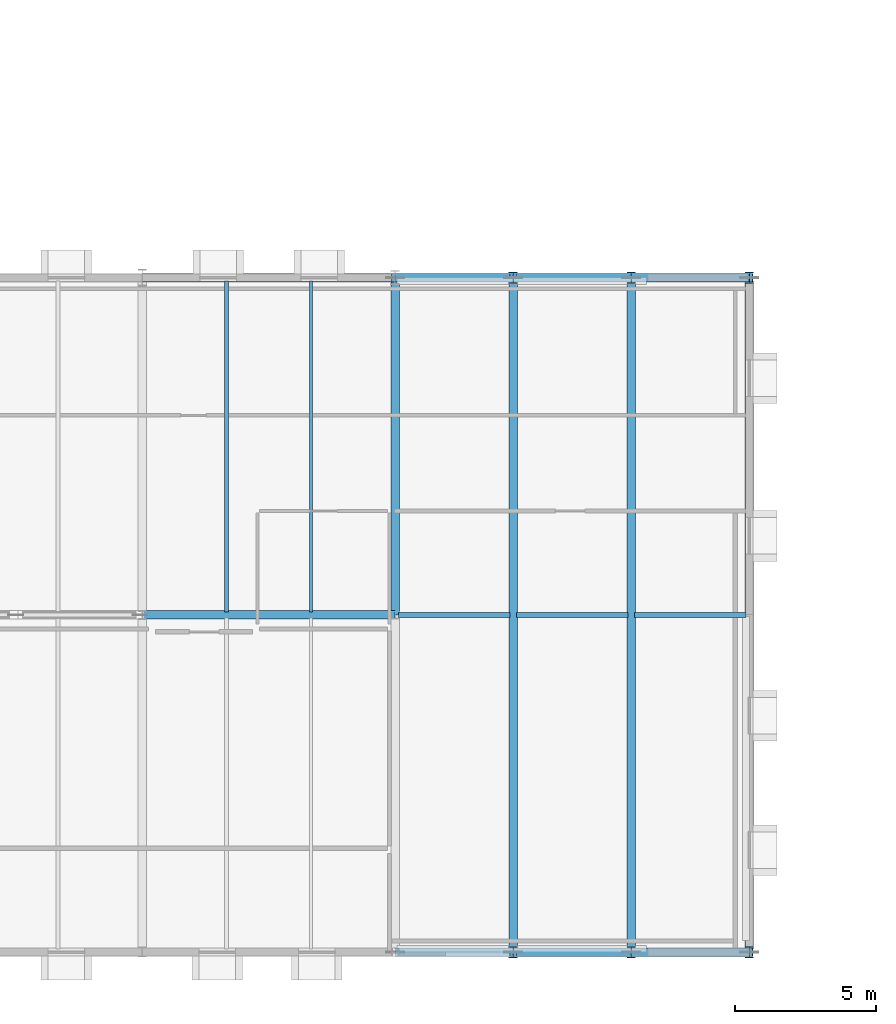
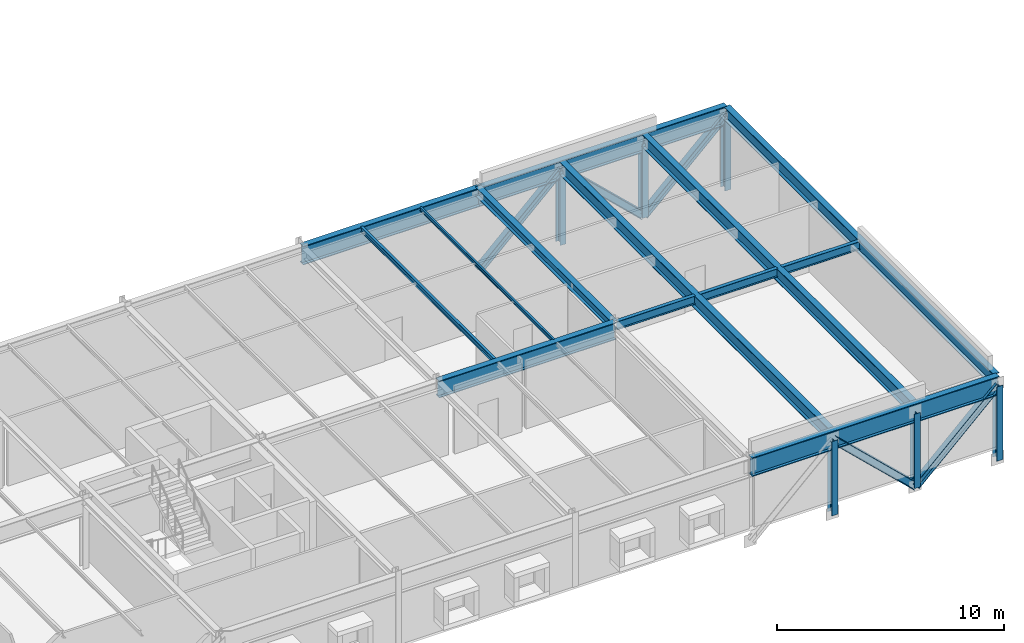
# One storey, part 6 of 36: 13 beams, 11 members.
"""IFC4 building model written with IfcOpenShell, lengths in metres."""

from ifc_helpers import new_model, si_unit, direction, frame, origin, origin_2d, place, context, subcontext, project, spatial, i_section, extrude, material, material_profile, profile_set, type_object, element, save


model = new_model("IFC4")

# Units and contexts
model_context = context("Model", 3, precision=1e-05, world=origin(), true_north=direction((0.0, 1.0)))
body_context = subcontext(model_context, "Body", "Model", "MODEL_VIEW")
ifc_project = project(units=[si_unit("LENGTHUNIT", "METRE"), si_unit("AREAUNIT", "SQUARE_METRE"), si_unit("VOLUMEUNIT", "CUBIC_METRE"), si_unit("PLANEANGLEUNIT", "RADIAN"), si_unit("MASSUNIT", "GRAM", prefix="KILO")], contexts=[model_context])

# Site, building, storey
site_placement = place(None, origin())
site = spatial("IfcSite", under=ifc_project, at=site_placement, CompositionType="ELEMENT")
building_placement = place(site_placement, origin())
building = spatial("IfcBuilding", under=site, at=building_placement, Name="Montelvaro Courts of Justice", CompositionType="ELEMENT")
storey_placement = place(building_placement, frame((0.0, 0.0, 23.39990234375)))
storey = spatial("IfcBuildingStorey", under=building, at=storey_placement, Name="L05", CompositionType="ELEMENT", Elevation=23.39990234375)

# Beams
ifc_material = material(Name="Steel S355", Category="steel")
ifc_material_profile_1 = material_profile(ifc_material, i_section(OverallWidth=0.300048828125, OverallDepth=0.489990234375, WebThickness=0.011962890625, FlangeThickness=0.02294921875, at=origin_2d()), Name="HEA 500")
ifc_profile_set_1 = profile_set([ifc_material_profile_1], Name="Steel S355")
beam_type_1 = type_object("IfcBeamType", Name="Beam_HEA500", PredefinedType="USERDEFINED", material=ifc_profile_set_1)
beam_1_placement = place(storey_placement, frame((135.0, 12.0, 3.53515625), z_axis=(0.0, 1.0, 0.0), x_axis=(-1.0, 0.0, 0.0)))
element("IfcBeam", 1, at=beam_1_placement, inside=storey, type_object=beam_type_1, Name="Beam B-19 L05", ObjectType="GIRDER", PredefinedType="USERDEFINED", context=body_context, shape_type="SweptSolid", body=[
    extrude(i_section(OverallWidth=0.300048828125, OverallDepth=0.489990234375, WebThickness=0.011962890625, FlangeThickness=0.02294921875, at=origin_2d()), origin(), (0.0, 0.0, 1.0), 12.0),
])
ifc_material_profile_2 = material_profile(ifc_material, i_section(OverallWidth=0.300048828125, OverallDepth=0.699951171875, WebThickness=0.01708984375, FlangeThickness=0.031982421875, at=origin_2d()), Name="HEB 700")
ifc_profile_set_2 = profile_set([ifc_material_profile_2], Name="Steel S355")
beam_type_2 = type_object("IfcBeamType", Name="Beam_HEB700", PredefinedType="USERDEFINED", material=ifc_profile_set_2)
for number, where, z_axis, x_axis, name in (
    (2, (139.199951171875, 0.110107421875, 3.41015625), (0.0, 1.0, 0.0), (-1.0, 0.0, 0.0), "Beam B-28 L05"),
    (3, (143.39990234375, 0.110107421875, 3.41015625), (0.0, 1.0, 0.0), (-1.0, 0.0, 0.0), "Beam B-28 L05"),
    (4, (147.60009765625, 0.110107421875, 3.41015625), (0.0, 1.0, 0.0), (-1.0, 0.0, 0.0), "Beam B-28 L05"),
):
    element("IfcBeam", number, at=place(storey_placement, frame(where, z_axis=z_axis, x_axis=x_axis)), inside=storey, type_object=beam_type_2, Name=name, ObjectType="GIRDER", PredefinedType="USERDEFINED", context=body_context, shape_type="SweptSolid", body=[
        extrude(i_section(OverallWidth=0.300048828125, OverallDepth=0.699951171875, WebThickness=0.01708984375, FlangeThickness=0.031982421875, at=origin_2d()), origin(), (0.0, 0.0, 1.0), 23.77978515625),
    ])
ifc_material_profile_3 = material_profile(ifc_material, i_section(OverallWidth=0.302001953125, OverallDepth=1.008056640625, WebThickness=0.02099609375, FlangeThickness=0.0400390625, at=origin_2d()), Name="HEM 1000")
ifc_profile_set_3 = profile_set([ifc_material_profile_3], Name="Steel S355")
beam_type_3 = type_object("IfcBeamType", Name="Beam_HEM1000", PredefinedType="USERDEFINED", material=ifc_profile_set_3)
beam_2_placement = place(storey_placement, frame((135.0, 0.0, 3.256103515625), z_axis=(1.0, 0.0, 0.0), x_axis=(0.0, 1.0, 0.0)))
element("IfcBeam", 5, at=beam_2_placement, inside=storey, type_object=beam_type_3, Name="Pratt Cantilever Truss Chord CTR-BAR2-S-L06-OVH", ObjectType="GIRDER", PredefinedType="USERDEFINED", context=body_context, shape_type="SweptSolid", body=[
    extrude(i_section(OverallWidth=0.302001953125, OverallDepth=1.008056640625, WebThickness=0.02099609375, FlangeThickness=0.0400390625, at=origin_2d()), origin(), (0.0, 0.0, 1.0), 12.60009765625),
])
beam_3_placement = place(storey_placement, frame((126.0, 24.0, 3.256103515625), z_axis=(1.0, 0.0, 0.0), x_axis=(0.0, 1.0, 0.0)))
element("IfcBeam", 6, at=beam_3_placement, inside=storey, type_object=beam_type_3, Name="Pratt Cantilever Truss Chord CTR-BAR2-N-L06-BS3", ObjectType="GIRDER", PredefinedType="USERDEFINED", context=body_context, shape_type="SweptSolid", body=[
    extrude(i_section(OverallWidth=0.302001953125, OverallDepth=1.008056640625, WebThickness=0.02099609375, FlangeThickness=0.0400390625, at=origin_2d()), origin(), (0.0, 0.0, 1.0), 9.0),
])
beam_4_placement = place(storey_placement, frame((135.0, 24.0, 3.256103515625), z_axis=(1.0, 0.0, 0.0), x_axis=(0.0, 1.0, 0.0)))
element("IfcBeam", 7, at=beam_4_placement, inside=storey, type_object=beam_type_3, Name="Pratt Cantilever Truss Chord CTR-BAR2-N-L06-OVH", ObjectType="GIRDER", PredefinedType="USERDEFINED", context=body_context, shape_type="SweptSolid", body=[
    extrude(i_section(OverallWidth=0.302001953125, OverallDepth=1.008056640625, WebThickness=0.02099609375, FlangeThickness=0.0400390625, at=origin_2d()), origin(), (0.0, 0.0, 1.0), 12.60009765625),
])
ifc_material_profile_4 = material_profile(ifc_material, i_section(OverallWidth=0.302001953125, OverallDepth=0.909912109375, WebThickness=0.02099609375, FlangeThickness=0.0400390625, at=origin_2d()), Name="HEM 900")
ifc_profile_set_4 = profile_set([ifc_material_profile_4], Name="Steel S355")
beam_type_4 = type_object("IfcBeamType", Name="Beam_HEM900", PredefinedType="USERDEFINED", material=ifc_profile_set_4)
beam_5_placement = place(storey_placement, frame((126.0, 12.0, 3.3251953125), z_axis=(1.0, 0.0, 0.0), x_axis=(0.0, 1.0, 0.0)))
element("IfcBeam", 8, at=beam_5_placement, inside=storey, type_object=beam_type_4, Name="Beam B-31 L05", ObjectType="GIRDER", PredefinedType="USERDEFINED", context=body_context, shape_type="SweptSolid", body=[
    extrude(i_section(OverallWidth=0.302001953125, OverallDepth=0.909912109375, WebThickness=0.02099609375, FlangeThickness=0.0400390625, at=origin_2d()), origin(), (0.0, 0.0, 1.0), 9.0),
])
ifc_material_profile_5 = material_profile(ifc_material, i_section(OverallWidth=0.10009765625, OverallDepth=0.199951171875, WebThickness=0.005615234375, FlangeThickness=0.008544921875, at=origin_2d()), Name="IPE 200")
ifc_profile_set_5 = profile_set([ifc_material_profile_5], Name="Steel S355")
beam_type_5 = type_object("IfcBeamType", Name="Beam_IPE200", PredefinedType="JOIST", material=ifc_profile_set_5)
beam_6_placement = place(storey_placement, frame((132.0, 12.110107421875, 3.68017578125), z_axis=(0.0, 1.0, 0.0), x_axis=(-1.0, 0.0, 0.0)))
element("IfcBeam", 9, at=beam_6_placement, inside=storey, type_object=beam_type_5, Name="Beam B-01 L05", PredefinedType="JOIST", context=body_context, shape_type="SweptSolid", body=[
    extrude(i_section(OverallWidth=0.10009765625, OverallDepth=0.199951171875, WebThickness=0.005615234375, FlangeThickness=0.008544921875, at=origin_2d()), origin(), (0.0, 0.0, 1.0), 11.77978515625),
])
ifc_material_profile_6 = material_profile(ifc_material, i_section(OverallWidth=0.135009765625, OverallDepth=0.27001953125, WebThickness=0.006591796875, FlangeThickness=0.01025390625, at=origin_2d()), Name="IPE 270")
ifc_profile_set_6 = profile_set([ifc_material_profile_6], Name="Steel S355")
beam_type_6 = type_object("IfcBeamType", Name="Beam_IPE270", PredefinedType="JOIST", material=ifc_profile_set_6)
beam_7_placement = place(storey_placement, frame((129.0, 12.110107421875, 3.64501953125), z_axis=(0.0, 1.0, 0.0), x_axis=(-1.0, 0.0, 0.0)))
element("IfcBeam", 10, at=beam_7_placement, inside=storey, type_object=beam_type_6, Name="Beam B-04 L05", PredefinedType="JOIST", context=body_context, shape_type="SweptSolid", body=[
    extrude(i_section(OverallWidth=0.135009765625, OverallDepth=0.27001953125, WebThickness=0.006591796875, FlangeThickness=0.01025390625, at=origin_2d()), origin(), (0.0, 0.0, 1.0), 11.77978515625),
])
ifc_material_profile_7 = material_profile(ifc_material, i_section(OverallWidth=0.18994140625, OverallDepth=0.449951171875, WebThickness=0.009521484375, FlangeThickness=0.0146484375, at=origin_2d()), Name="IPE 450")
ifc_profile_set_7 = profile_set([ifc_material_profile_7], Name="Steel S355")
beam_type_7 = type_object("IfcBeamType", Name="Beam_IPE450", PredefinedType="BEAM", material=ifc_profile_set_7)
for number, where, z_axis, x_axis, name in (
    (11, (135.110107421875, 12.0, 3.53515625), (1.0, 0.0, 0.0), (0.0, 1.0, 0.0), "Beam B-09 L05"),
    (12, (139.31005859375, 12.0, 3.53515625), (1.0, 0.0, 0.0), (0.0, 1.0, 0.0), "Beam B-09 L05"),
    (13, (143.510009765625, 12.0, 3.53515625), (1.0, 0.0, 0.0), (0.0, 1.0, 0.0), "Beam B-09 L05"),
):
    element("IfcBeam", number, at=place(storey_placement, frame(where, z_axis=z_axis, x_axis=x_axis)), inside=storey, type_object=beam_type_7, Name=name, PredefinedType="BEAM", context=body_context, shape_type="SweptSolid", body=[
        extrude(i_section(OverallWidth=0.18994140625, OverallDepth=0.449951171875, WebThickness=0.009521484375, FlangeThickness=0.0146484375, at=origin_2d()), origin(), (0.0, 0.0, 1.0), 3.97998046875),
    ])

# Members
ifc_material_profile_8 = material_profile(ifc_material, i_section(OverallWidth=0.300048828125, OverallDepth=0.360107421875, WebThickness=0.012451171875, FlangeThickness=0.0224609375, at=origin_2d()), Name="HEB 360")
ifc_profile_set_8 = profile_set([ifc_material_profile_8], Name="Steel S355")
member_type_1 = type_object("IfcMemberType", Name="Mem_HEB360_Brace", PredefinedType="BRACE", material=ifc_profile_set_8)
for number, where, z_axis, x_axis, name in (
    (14, (139.199951171875, 0.0, 3.256103515625), (0.724133926887, 0.0, -0.689659376744), (0.0, 1.0, 0.0), "Pratt Cantilever Truss Diagonal MB-01 CTR-BAR2-S-L05-D5"),
    (15, (143.39990234375, 0.0, -0.743896484375), (0.72415394689, 0.0, 0.689638355374), (0.0, 1.0, 0.0), "Pratt Cantilever Truss Diagonal MB-01 CTR-BAR2-S-L05-D6"),
    (16, (135.0, 24.0, -0.743896484375), (0.724133926887, 0.0, 0.689659376744), (0.0, 1.0, 0.0), "Pratt Cantilever Truss Diagonal MB-01 CTR-BAR2-N-L05-D4"),
    (17, (139.199951171875, 24.0, 3.256103515625), (0.724133926887, 0.0, -0.689659376744), (0.0, 1.0, 0.0), "Pratt Cantilever Truss Diagonal MB-01 CTR-BAR2-N-L05-D5"),
    (18, (143.39990234375, 24.0, -0.743896484375), (0.72415394689, 0.0, 0.689638355374), (0.0, 1.0, 0.0), "Pratt Cantilever Truss Diagonal MB-01 CTR-BAR2-N-L05-D6"),
):
    element("IfcMember", number, at=place(storey_placement, frame(where, z_axis=z_axis, x_axis=x_axis)), inside=storey, type_object=member_type_1, Name=name, PredefinedType="BRACE", context=body_context, shape_type="SweptSolid", body=[
        extrude(i_section(OverallWidth=0.300048828125, OverallDepth=0.360107421875, WebThickness=0.012451171875, FlangeThickness=0.0224609375, at=origin_2d()), origin(), (0.0, 0.0, 1.0), 5.800048828125),
    ])
ifc_material_profile_9 = material_profile(ifc_material, i_section(OverallWidth=0.300048828125, OverallDepth=0.39990234375, WebThickness=0.013427734375, FlangeThickness=0.02392578125, at=origin_2d()), Name="HEB 400")
ifc_profile_set_9 = profile_set([ifc_material_profile_9], Name="Steel S355")
member_type_2 = type_object("IfcMemberType", Name="Mem_HEB400_Post", PredefinedType="POST", material=ifc_profile_set_9)
for number, where, z_axis, x_axis, name in (
    (19, (139.199951171875, 0.0, -0.743896484375), (0.0, 0.0, 1.0), (1.0, 0.0, 0.0), "Pratt Cantilever Truss Post MP-01 CTR-BAR2-S-L05-1"),
    (20, (143.39990234375, 0.0, -0.743896484375), (0.0, 0.0, 1.0), (1.0, 0.0, 0.0), "Pratt Cantilever Truss Post MP-01 CTR-BAR2-S-L05-2"),
    (21, (147.60009765625, 0.0, -0.743896484375), (0.0, 0.0, 1.0), (1.0, 0.0, 0.0), "Pratt Cantilever Truss Post MP-01 CTR-BAR2-S-L05-3"),
    (22, (139.199951171875, 24.0, -0.743896484375), (0.0, 0.0, 1.0), (1.0, 0.0, 0.0), "Pratt Cantilever Truss Post MP-01 CTR-BAR2-N-L05-1"),
    (23, (143.39990234375, 24.0, -0.743896484375), (0.0, 0.0, 1.0), (1.0, 0.0, 0.0), "Pratt Cantilever Truss Post MP-01 CTR-BAR2-N-L05-2"),
    (24, (147.60009765625, 24.0, -0.743896484375), (0.0, 0.0, 1.0), (1.0, 0.0, 0.0), "Pratt Cantilever Truss Post MP-01 CTR-BAR2-N-L05-3"),
):
    element("IfcMember", number, at=place(storey_placement, frame(where, z_axis=z_axis, x_axis=x_axis)), inside=storey, type_object=member_type_2, Name=name, PredefinedType="POST", context=body_context, shape_type="SweptSolid", body=[
        extrude(i_section(OverallWidth=0.300048828125, OverallDepth=0.39990234375, WebThickness=0.013427734375, FlangeThickness=0.02392578125, at=origin_2d()), origin(), (0.0, 0.0, 1.0), 4.0),
    ])

save(model, "model.ifc")
